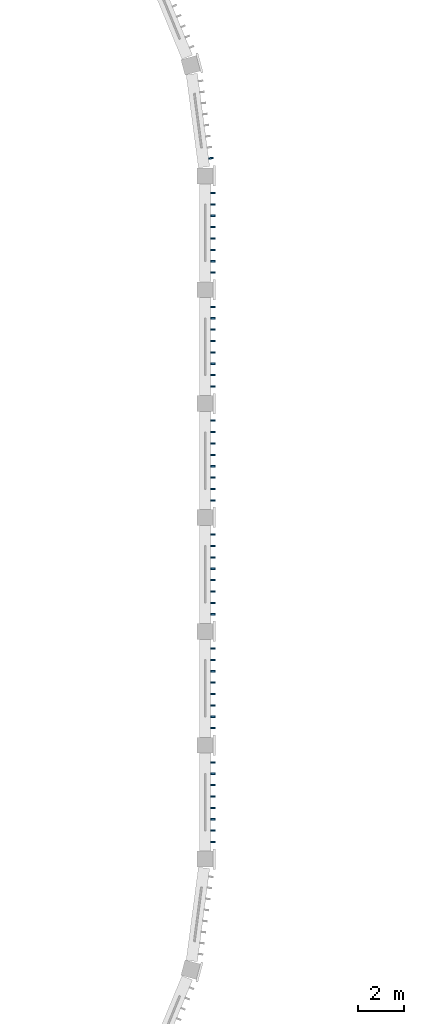
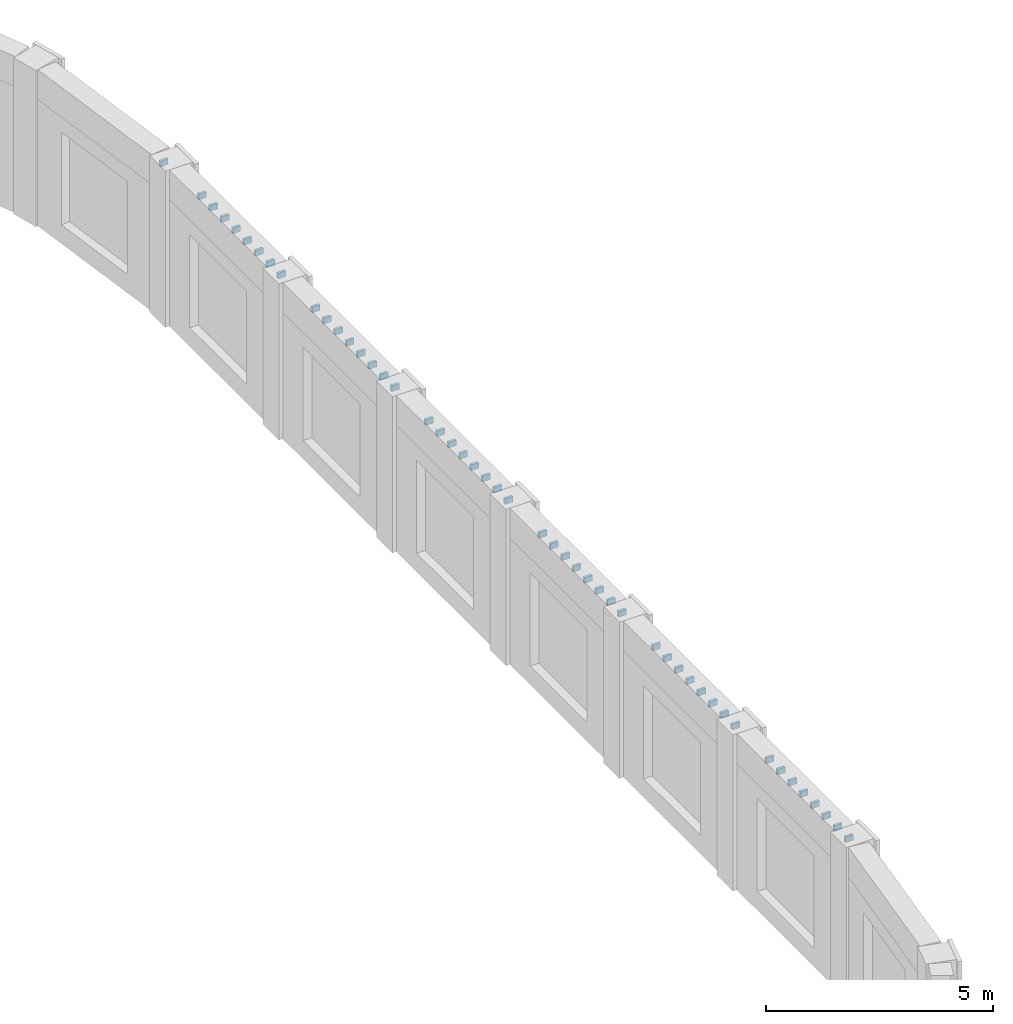
# One storey, part 50 of 71: 49 discrete accessories.
"""IFC4 building model written with IfcOpenShell, lengths in metres."""

from ifc_helpers import new_model, si_unit, direction, frame, origin, origin_2d, place, context, subcontext, project, spatial, rectangle, extrude, material, type_object, element, save


model = new_model("IFC4")

# Units and contexts
model_context = context("Model", 3, precision=1e-05, world=origin(), true_north=direction((0.0, 1.0)))
body_context = subcontext(model_context, "Body", "Model", "MODEL_VIEW")
ifc_project = project(units=[si_unit("LENGTHUNIT", "METRE"), si_unit("AREAUNIT", "SQUARE_METRE"), si_unit("VOLUMEUNIT", "CUBIC_METRE"), si_unit("PLANEANGLEUNIT", "RADIAN"), si_unit("MASSUNIT", "GRAM", prefix="KILO")], contexts=[model_context])

# Site, building, storey
site_placement = place(None, origin())
site = spatial("IfcSite", under=ifc_project, at=site_placement, CompositionType="ELEMENT")
building_placement = place(site_placement, origin())
building = spatial("IfcBuilding", under=site, at=building_placement, Name="Wasatch Bagh Community Centre", CompositionType="ELEMENT")
storey_placement = place(building_placement, frame((0.0, 0.0, 12.60009765625)))
storey = spatial("IfcBuildingStorey", under=building, at=storey_placement, Name="L03", CompositionType="ELEMENT", Elevation=12.60009765625)

# Discrete accessories
ifc_material = material(Name="ASTM A36 steel", Category="steel")
discrete_accessory_type = type_object("IfcDiscreteAccessoryType", Name="MH fin bracket", PredefinedType="BRACKET", material=ifc_material)
for number, where, z_axis, x_axis, name in (
    (1, (55.10009765625, 35.75, 3.474853515625), (0.0, 0.0, 1.0), (0.0, 1.0, 0.0), "Fin bracket 13.2.3"),
    (2, (55.10009765625, 36.25, 3.474853515625), (0.0, 0.0, 1.0), (0.0, 1.0, 0.0), "Fin bracket 13.3.3"),
    (3, (55.10009765625, 36.75, 3.474853515625), (0.0, 0.0, 1.0), (0.0, 1.0, 0.0), "Fin bracket 13.4.3"),
    (4, (55.10009765625, 37.25, 3.474853515625), (0.0, 0.0, 1.0), (0.0, 1.0, 0.0), "Fin bracket 13.5.3"),
    (5, (55.10009765625, 37.75, 3.474853515625), (0.0, 0.0, 1.0), (0.0, 1.0, 0.0), "Fin bracket 13.6.3"),
    (6, (55.10009765625, 38.25, 3.474853515625), (0.0, 0.0, 1.0), (0.0, 1.0, 0.0), "Fin bracket 13.7.3"),
    (7, (55.10009765625, 38.75, 3.474853515625), (0.0, 0.0, 1.0), (0.0, 1.0, 0.0), "Fin bracket 13.8.3"),
    (8, (55.10009765625, 39.25, 3.474853515625), (0.0, 0.0, 1.0), (0.0, 1.0, 0.0), "Fin bracket 13.9.3"),
    (9, (55.10009765625, 40.75, 3.474853515625), (0.0, 0.0, 1.0), (0.0, 1.0, 0.0), "Fin bracket 14.2.3"),
    (10, (55.10009765625, 41.25, 3.474853515625), (0.0, 0.0, 1.0), (0.0, 1.0, 0.0), "Fin bracket 14.3.3"),
    (11, (55.10009765625, 41.75, 3.474853515625), (0.0, 0.0, 1.0), (0.0, 1.0, 0.0), "Fin bracket 14.4.3"),
    (12, (55.10009765625, 42.25, 3.474853515625), (0.0, 0.0, 1.0), (0.0, 1.0, 0.0), "Fin bracket 14.5.3"),
    (13, (55.10009765625, 42.75, 3.474853515625), (0.0, 0.0, 1.0), (0.0, 1.0, 0.0), "Fin bracket 14.6.3"),
    (14, (55.10009765625, 43.25, 3.474853515625), (0.0, 0.0, 1.0), (0.0, 1.0, 0.0), "Fin bracket 14.7.3"),
    (15, (55.10009765625, 43.75, 3.474853515625), (0.0, 0.0, 1.0), (0.0, 1.0, 0.0), "Fin bracket 14.8.3"),
    (16, (55.10009765625, 44.25, 3.474853515625), (0.0, 0.0, 1.0), (0.0, 1.0, 0.0), "Fin bracket 14.9.3"),
    (17, (55.10009765625, 45.75, 3.474853515625), (0.0, 0.0, 1.0), (0.0, 1.0, 0.0), "Fin bracket 15.2.3"),
    (18, (55.10009765625, 46.25, 3.474853515625), (0.0, 0.0, 1.0), (0.0, 1.0, 0.0), "Fin bracket 15.3.3"),
    (19, (55.10009765625, 46.75, 3.474853515625), (0.0, 0.0, 1.0), (0.0, 1.0, 0.0), "Fin bracket 15.4.3"),
    (20, (55.10009765625, 47.25, 3.474853515625), (0.0, 0.0, 1.0), (0.0, 1.0, 0.0), "Fin bracket 15.5.3"),
    (21, (55.10009765625, 47.75, 3.474853515625), (0.0, 0.0, 1.0), (0.0, 1.0, 0.0), "Fin bracket 15.6.3"),
    (22, (55.10009765625, 48.25, 3.474853515625), (0.0, 0.0, 1.0), (0.0, 1.0, 0.0), "Fin bracket 15.7.3"),
    (23, (55.10009765625, 48.75, 3.474853515625), (0.0, 0.0, 1.0), (0.0, 1.0, 0.0), "Fin bracket 15.8.3"),
    (24, (55.10009765625, 49.25, 3.474853515625), (0.0, 0.0, 1.0), (0.0, 1.0, 0.0), "Fin bracket 15.9.3"),
    (25, (55.10009765625, 50.75, 3.474853515625), (0.0, 0.0, 1.0), (0.0, 1.0, 0.0), "Fin bracket 16.2.3"),
    (26, (55.10009765625, 51.25, 3.474853515625), (0.0, 0.0, 1.0), (0.0, 1.0, 0.0), "Fin bracket 16.3.3"),
    (27, (55.10009765625, 51.75, 3.474853515625), (0.0, 0.0, 1.0), (0.0, 1.0, 0.0), "Fin bracket 16.4.3"),
    (28, (55.10009765625, 52.25, 3.474853515625), (0.0, 0.0, 1.0), (0.0, 1.0, 0.0), "Fin bracket 16.5.3"),
    (29, (55.10009765625, 52.75, 3.474853515625), (0.0, 0.0, 1.0), (0.0, 1.0, 0.0), "Fin bracket 16.6.3"),
    (30, (55.10009765625, 53.25, 3.474853515625), (0.0, 0.0, 1.0), (0.0, 1.0, 0.0), "Fin bracket 16.7.3"),
    (31, (55.10009765625, 53.75, 3.474853515625), (0.0, 0.0, 1.0), (0.0, 1.0, 0.0), "Fin bracket 16.8.3"),
    (32, (55.10009765625, 54.25, 3.474853515625), (0.0, 0.0, 1.0), (0.0, 1.0, 0.0), "Fin bracket 16.9.3"),
    (33, (55.10009765625, 55.75, 3.474853515625), (0.0, 0.0, 1.0), (0.0, 1.0, 0.0), "Fin bracket 17.2.3"),
    (34, (55.10009765625, 56.25, 3.474853515625), (0.0, 0.0, 1.0), (0.0, 1.0, 0.0), "Fin bracket 17.3.3"),
    (35, (55.10009765625, 56.75, 3.474853515625), (0.0, 0.0, 1.0), (0.0, 1.0, 0.0), "Fin bracket 17.4.3"),
    (36, (55.10009765625, 57.25, 3.474853515625), (0.0, 0.0, 1.0), (0.0, 1.0, 0.0), "Fin bracket 17.5.3"),
    (37, (55.10009765625, 57.75, 3.474853515625), (0.0, 0.0, 1.0), (0.0, 1.0, 0.0), "Fin bracket 17.6.3"),
    (38, (55.10009765625, 58.25, 3.474853515625), (0.0, 0.0, 1.0), (0.0, 1.0, 0.0), "Fin bracket 17.7.3"),
    (39, (55.10009765625, 58.75, 3.474853515625), (0.0, 0.0, 1.0), (0.0, 1.0, 0.0), "Fin bracket 17.8.3"),
    (40, (55.10009765625, 59.25, 3.474853515625), (0.0, 0.0, 1.0), (0.0, 1.0, 0.0), "Fin bracket 17.9.3"),
    (41, (55.10009765625, 60.75, 3.474853515625), (0.0, 0.0, 1.0), (0.0, 1.0, 0.0), "Fin bracket 18.2.3"),
    (42, (55.10009765625, 61.25, 3.474853515625), (0.0, 0.0, 1.0), (0.0, 1.0, 0.0), "Fin bracket 18.3.3"),
    (43, (55.10009765625, 61.75, 3.474853515625), (0.0, 0.0, 1.0), (0.0, 1.0, 0.0), "Fin bracket 18.4.3"),
    (44, (55.10009765625, 62.25, 3.474853515625), (0.0, 0.0, 1.0), (0.0, 1.0, 0.0), "Fin bracket 18.5.3"),
    (45, (55.10009765625, 62.75, 3.474853515625), (0.0, 0.0, 1.0), (0.0, 1.0, 0.0), "Fin bracket 18.6.3"),
    (46, (55.10009765625, 63.25, 3.474853515625), (0.0, 0.0, 1.0), (0.0, 1.0, 0.0), "Fin bracket 18.7.3"),
    (47, (55.10009765625, 63.75, 3.474853515625), (0.0, 0.0, 1.0), (0.0, 1.0, 0.0), "Fin bracket 18.8.3"),
    (48, (55.10009765625, 64.25, 3.474853515625), (0.0, 0.0, 1.0), (0.0, 1.0, 0.0), "Fin bracket 18.9.3"),
    (49, (55.001220703125, 65.773681640625, 3.474853515625), (0.0, 0.0, 1.0), (-0.13052619222, 0.991444861374, 0.0), "Fin bracket 19.2.3"),
):
    element("IfcDiscreteAccessory", number, at=place(storey_placement, frame(where, z_axis=z_axis, x_axis=x_axis)), inside=storey, type_object=discrete_accessory_type, Name=name, PredefinedType="BRACKET", context=body_context, shape_type="SweptSolid", body=[
        extrude(rectangle(XDim=0.070068359375, YDim=0.199951171875, at=origin_2d()), origin(), (0.0, 0.0, 1.0), 0.14990234375),
    ])

save(model, "model.ifc")
